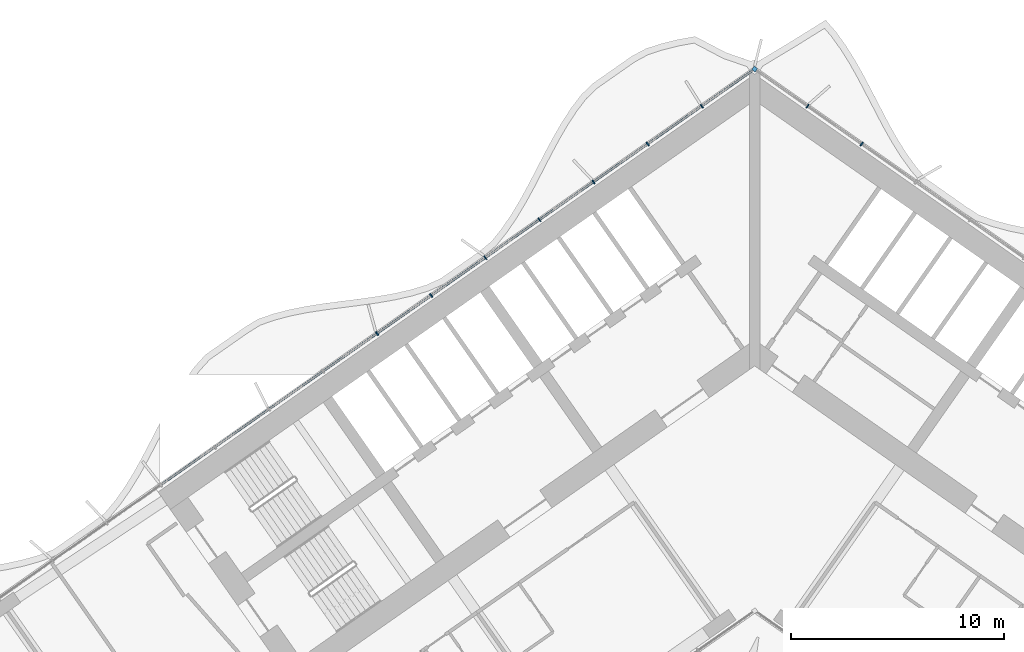
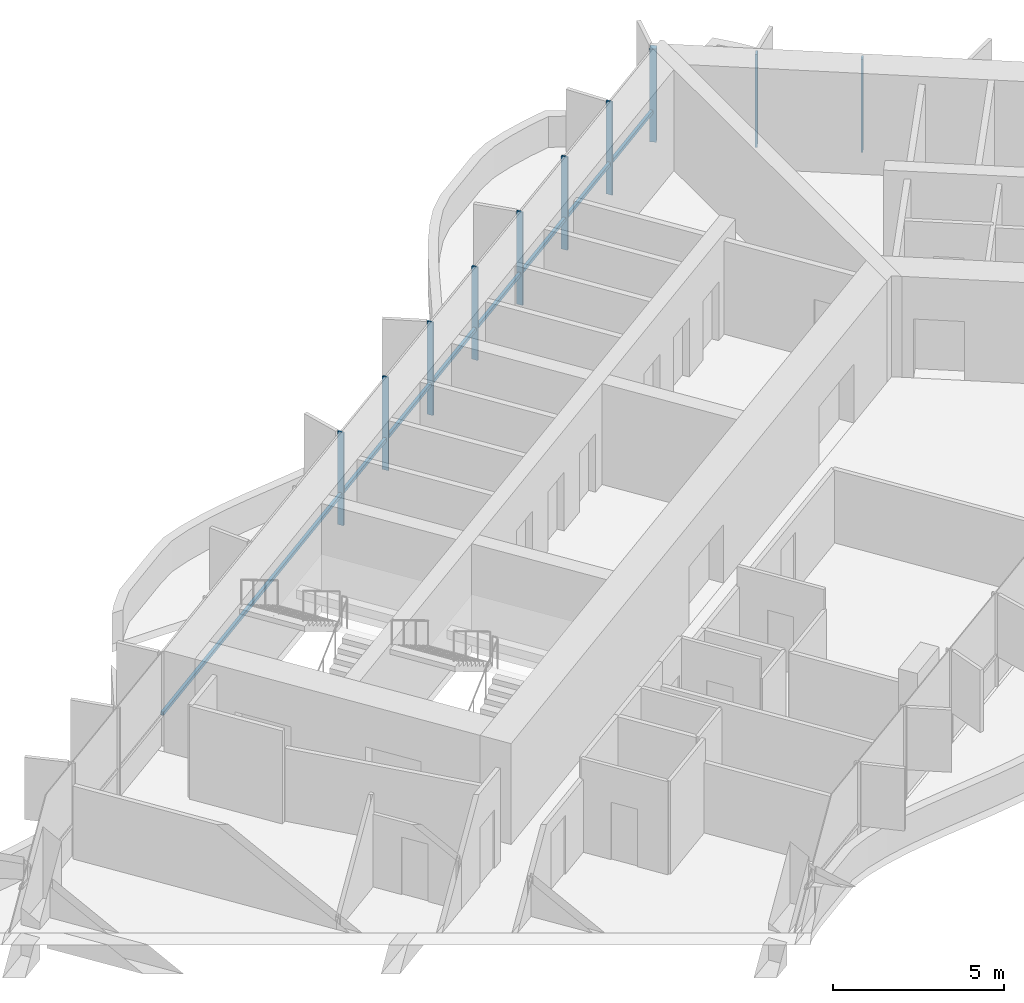
# One storey, part 7 of 23: 11 members, 1 element without a shape of its own.
"""IFC4 building model written with IfcOpenShell, lengths in metres."""

import ifcopenshell
import ifcopenshell.guid

model = None  # the IFC model being written
_history = None  # IfcOwnerHistory: only IFC2X3 demands one
_inside = {}  # id of a spatial element -> (the spatial element, [elements in it])
_under = {}  # id of a project, library or spatial element -> (it, [spatial elements below it])
_declared = {}  # id of a project -> (the project, [libraries it declares])
_typed = {}  # id of a type object -> (the type object, [elements of that type])
_made_of = {}  # id of a material, layer set ... -> (it, [elements and type objects made of it])


def new_model(schema):
    """Start an empty IFC model of exactly this schema.

    Asked for "IFC4X3", IfcOpenShell would pick the latest addendum, in which some entities
    have other attributes; the version numbers below select the first issue.
    IFC2X3 requires an IfcOwnerHistory on every rooted entity: one is made here for all.
    """
    global model, _history
    if schema == "IFC4X3":
        model = ifcopenshell.file(schema_version=(4, 3, 0, 0))
    else:
        model = ifcopenshell.file(schema=schema)
    _inside.clear()
    _under.clear()
    _declared.clear()
    _typed.clear()
    _made_of.clear()
    _history = None
    if model.schema == "IFC2X3":
        org = make("IfcOrganization", Name="unknown")
        user = make(
            "IfcPersonAndOrganization",
            ThePerson=make("IfcPerson", FamilyName="unknown"),
            TheOrganization=org,
        )
        app = make(
            "IfcApplication",
            ApplicationDeveloper=org,
            Version="unknown",
            ApplicationFullName="unknown",
            ApplicationIdentifier="unknown",
        )
        _history = make(
            "IfcOwnerHistory",
            OwningUser=user,
            OwningApplication=app,
            ChangeAction="ADDED",
            CreationDate=0,
        )
    return model


def make(cls, **values):
    """One entity of the class cls with the attributes given. An attribute that is None is left unset."""
    return model.create_entity(
        cls, **{name: value for name, value in values.items() if value is not None}
    )


def rooted(cls, **values):
    """An entity with a GlobalId (a new one), such as an element, a storey or a relation."""
    return make(cls, GlobalId=ifcopenshell.guid.new(), OwnerHistory=_history, **values)


def si_unit(unit_type, name, prefix=None):
    """IfcSIUnit, for example si_unit("LENGTHUNIT", "METRE", prefix="MILLI")."""
    return make("IfcSIUnit", UnitType=unit_type, Prefix=prefix, Name=name)


def assignment(units):
    """IfcUnitAssignment: the units of a project."""
    return None if units is None else make("IfcUnitAssignment", Units=units)


def point(xyz):
    """IfcCartesianPoint."""
    return None if xyz is None else make("IfcCartesianPoint", Coordinates=xyz)


def direction(xyz):
    """IfcDirection."""
    return None if xyz is None else make("IfcDirection", DirectionRatios=xyz)


def frame(location, z_axis=None, x_axis=None):
    """IfcAxis2Placement3D, a coordinate frame: its origin and axes. An axis left out is left unset."""
    return make(
        "IfcAxis2Placement3D",
        Location=point(location),
        Axis=direction(z_axis),
        RefDirection=direction(x_axis),
    )


def frame_2d(location, x_axis=None):
    """IfcAxis2Placement2D, a coordinate frame in the plane: its origin and x axis."""
    return make(
        "IfcAxis2Placement2D", Location=point(location), RefDirection=direction(x_axis)
    )


def origin():
    """The frame at (0, 0, 0) with its axes left unset."""
    return frame((0.0, 0.0, 0.0))


def origin_2d():
    """The frame at (0, 0) in the plane with its x axis left unset."""
    return frame_2d((0.0, 0.0))


def place(relative_to, where):
    """IfcLocalPlacement: puts the frame where relative to a parent placement (None: the world)."""
    return make(
        "IfcLocalPlacement", PlacementRelTo=relative_to, RelativePlacement=where
    )


def context(
    kind, dimensions, precision=None, world=None, true_north=None, identifier=None
):
    """IfcGeometricRepresentationContext, for example the 3D "Model" context."""
    return make(
        "IfcGeometricRepresentationContext",
        ContextIdentifier=identifier,
        ContextType=kind,
        CoordinateSpaceDimension=dimensions,
        Precision=precision,
        WorldCoordinateSystem=world,
        TrueNorth=true_north,
    )


def subcontext(parent, identifier, kind, view, scale=None):
    """IfcGeometricRepresentationSubContext, for example "Body" below "Model"."""
    return make(
        "IfcGeometricRepresentationSubContext",
        ContextIdentifier=identifier,
        ContextType=kind,
        ParentContext=parent,
        TargetScale=scale,
        TargetView=view,
    )


def project(units=None, contexts=None):
    """IfcProject with its units and contexts."""
    return rooted(
        "IfcProject",
        Name="project",
        RepresentationContexts=contexts,
        UnitsInContext=assignment(units),
    )


def spatial(cls, under=None, at=None, **own):
    """A site, building, storey or space (cls), placed at a placement, below another one or the project."""
    s = rooted(cls, ObjectPlacement=at, **own)
    if under is not None:
        _under.setdefault(under.id(), (under, []))[1].append(s)
    return s


def profile(cls, at=None, kind="AREA", **sizes):
    """A parametric profile (cls). Its sizes go by their IFC names, for example OverallWidth=200.0."""
    return make(cls, ProfileType=kind, Position=at, **sizes)


def rectangle(**sizes):
    """IfcRectangleProfileDef."""
    return profile("IfcRectangleProfileDef", **sizes)


def extrude(swept, where, along, depth):
    """IfcExtrudedAreaSolid: the profile swept, set in the frame where, extruded along a direction by depth."""
    return make(
        "IfcExtrudedAreaSolid",
        SweptArea=swept,
        Position=where,
        ExtrudedDirection=direction(along),
        Depth=depth,
    )


def shape(context_of_items, identifier, shape_type, items):
    """IfcShapeRepresentation: the items that make up one representation, for example the "Body"."""
    return make(
        "IfcShapeRepresentation",
        ContextOfItems=context_of_items,
        RepresentationIdentifier=identifier,
        RepresentationType=shape_type,
        Items=items,
    )


def material(Name=None, Category=None):
    """IfcMaterial."""
    return make("IfcMaterial", Name=Name, Category=Category)


def material_profile(
    of_material, cross_section, Name=None, Category=None, Priority=None
):
    """IfcMaterialProfile: a cross section and its material."""
    return make(
        "IfcMaterialProfile",
        Name=Name,
        Material=of_material,
        Profile=cross_section,
        Priority=Priority,
        Category=Category,
    )


def profile_set(profiles, Name=None, composite=None):
    """IfcMaterialProfileSet."""
    return make(
        "IfcMaterialProfileSet",
        Name=Name,
        MaterialProfiles=profiles,
        CompositeProfile=composite,
    )


def made_of(thing, what):
    """Note that an element or type object is made of a material, layer set ...; save() writes the relation."""
    if what is not None:
        _made_of.setdefault(what.id(), (what, []))[1].append(thing)
    return thing


def type_object(cls, material=None, **own):
    """A type object (cls), such as IfcWallType, which elements share."""
    return made_of(rooted(cls, **own), material)


def element(
    cls,
    number,
    at=None,
    inside=None,
    cuts=None,
    type_object=None,
    material=None,
    context=None,
    identifier="Body",
    shape_type=None,
    held_by="IfcProductDefinitionShape",
    body=None,
    shapes=None,
    **own,
):
    """One element of the class cls, such as IfcWall. Its Tag is "e" and its number.

    at: its placement. inside: the storey or other place that contains it. cuts: it is an
    opening in that element (IfcRelVoidsElement). A single representation is given by context,
    identifier, shape_type and body (its items); several are given by shapes. held_by: the class
    of the entity that holds the representations. save() writes the other relations.
    """
    e = rooted(cls, Tag="e%d" % number, ObjectPlacement=at, **own)
    if body is not None:
        shapes = [shape(context, identifier, shape_type, body)]
    if shapes is not None:
        e.Representation = make(held_by, Representations=shapes)
    if inside is not None:
        _inside.setdefault(inside.id(), (inside, []))[1].append(e)
    if cuts is not None:
        rooted(
            "IfcRelVoidsElement", RelatingBuildingElement=cuts, RelatedOpeningElement=e
        )
    if type_object is not None:
        _typed.setdefault(type_object.id(), (type_object, []))[1].append(e)
    return made_of(e, material)


def aggregate(whole, parts):
    """IfcRelAggregates: a whole, such as a stair, and the parts it consists of."""
    return rooted("IfcRelAggregates", RelatingObject=whole, RelatedObjects=parts)


def save(model, path):
    """Write the relations noted so far, then the file.

    IfcRelAggregates (storeys below a building ...), IfcRelContainedInSpatialStructure (elements
    in a storey), IfcRelDefinesByType, IfcRelAssociatesMaterial and IfcRelDeclares: one each for
    every whole, place, type object, material and project.
    """
    for whole, parts in _under.values():
        aggregate(whole, parts)
    for where, things in _inside.values():
        rooted(
            "IfcRelContainedInSpatialStructure",
            RelatedElements=things,
            RelatingStructure=where,
        )
    for kind, things in _typed.values():
        rooted("IfcRelDefinesByType", RelatedObjects=things, RelatingType=kind)
    for what, things in _made_of.values():
        rooted("IfcRelAssociatesMaterial", RelatedObjects=things, RelatingMaterial=what)
    for by, libraries in _declared.values():
        rooted("IfcRelDeclares", RelatingContext=by, RelatedDefinitions=libraries)
    model.write(path)


model = new_model("IFC4")

# Units and contexts
model_context = context("Model", 3, precision=1e-05, world=origin(), true_north=direction((0.0, 1.0)))
body_context = subcontext(model_context, "Body", "Model", "MODEL_VIEW")
ifc_project = project(units=[si_unit("LENGTHUNIT", "METRE"), si_unit("AREAUNIT", "SQUARE_METRE"), si_unit("VOLUMEUNIT", "CUBIC_METRE"), si_unit("PLANEANGLEUNIT", "RADIAN"), si_unit("MASSUNIT", "GRAM", prefix="KILO")], contexts=[model_context])

# Site, building, storey
site_placement = place(None, origin())
site = spatial("IfcSite", under=ifc_project, at=site_placement, CompositionType="ELEMENT")
building_placement = place(site_placement, origin())
building = spatial("IfcBuilding", under=site, at=building_placement, Name="Tel Ilan Convention Tower", CompositionType="ELEMENT")
storey_placement = place(building_placement, frame((0.0, 0.0, 104.89990234375)))
storey = spatial("IfcBuildingStorey", under=building, at=storey_placement, Name="L22", CompositionType="ELEMENT", Elevation=104.89990234375)

# Curtain wall, members
ifc_material_1 = material(Name="Aluminium, bronze anodised", Category="aluminium")
curtain_wall_type = type_object("IfcCurtainWallType", Name="CW2 STICK CURTAIN WALL, SPANDREL PANELS", PredefinedType="NOTDEFINED", material=ifc_material_1)
curtain_wall_placement = place(storey_placement, origin())
curtain_wall = element("IfcCurtainWall", 1, at=curtain_wall_placement, inside=storey, type_object=curtain_wall_type, Name="Curtain wall CW2-19.01", PredefinedType="NOTDEFINED")
ifc_material_2 = material(Name="Aluminium, bronze anodised", Category="aluminium")
ifc_material_profile_1 = material_profile(ifc_material_2, rectangle(XDim=0.199951171875, YDim=0.199951171875, at=origin_2d()), Name="CW CORNER MULLION 200x200")
ifc_profile_set_1 = profile_set([ifc_material_profile_1], Name="Aluminium, bronze anodised")
member_type_1 = type_object("IfcMemberType", Name="CW CORNER MULLION 200x200", PredefinedType="MULLION", material=ifc_profile_set_1)
member_1_placement = place(storey_placement, frame((0.0, 12.696044921875, 0.0), z_axis=(0.0, 0.0, 1.0), x_axis=(-0.819152044289, 0.573576436351, 0.0)))
member_1 = element("IfcMember", 2, at=member_1_placement, type_object=member_type_1, Name="Corner mullion", PredefinedType="MULLION", context=body_context, shape_type="SweptSolid", body=[
    extrude(rectangle(XDim=0.199951171875, YDim=0.199951171875, at=origin_2d()), origin(), (0.0, 0.0, 1.0), 3.320068359375),
])
ifc_material_3 = material(Name="Aluminium, bronze anodised", Category="aluminium")
ifc_material_profile_2 = material_profile(ifc_material_3, rectangle(XDim=0.06005859375, YDim=0.199951171875, at=origin_2d()), Name="CW MULLION 60x200")
ifc_profile_set_2 = profile_set([ifc_material_profile_2], Name="Aluminium, bronze anodised")
member_type_2 = type_object("IfcMemberType", Name="CW MULLION 60x200", PredefinedType="MULLION", material=ifc_profile_set_2)
member_2_placement = place(storey_placement, frame((5.0166015625, 9.18359375, 0.0), z_axis=(0.0, 0.0, 1.0), x_axis=(-0.819152044289, 0.573576436351, 0.0)))
member_2 = element("IfcMember", 3, at=member_2_placement, type_object=member_type_2, Name="Mullion", PredefinedType="MULLION", context=body_context, shape_type="SweptSolid", body=[
    extrude(rectangle(XDim=0.06005859375, YDim=0.199951171875, at=origin_2d()), origin(), (0.0, 0.0, 1.0), 3.320068359375),
])
member_3_placement = place(storey_placement, frame((2.4794921875, 10.9599609375, 0.0), z_axis=(0.0, 0.0, 1.0), x_axis=(-0.819152044289, 0.573576436351, 0.0)))
member_3 = element("IfcMember", 4, at=member_3_placement, type_object=member_type_2, Name="Mullion", PredefinedType="MULLION", context=body_context, shape_type="SweptSolid", body=[
    extrude(rectangle(XDim=0.06005859375, YDim=0.199951171875, at=origin_2d()), origin(), (0.0, 0.0, 1.0), 3.320068359375),
])
member_4_placement = place(storey_placement, frame((-2.4794921875, 10.9599609375, 0.0), z_axis=(0.0, 0.0, 1.0), x_axis=(-0.819152044289, -0.573576436351, 0.0)))
member_4 = element("IfcMember", 5, at=member_4_placement, type_object=member_type_2, Name="Mullion", PredefinedType="MULLION", context=body_context, shape_type="SweptSolid", body=[
    extrude(rectangle(XDim=0.06005859375, YDim=0.199951171875, at=origin_2d()), origin(), (0.0, 0.0, 1.0), 3.320068359375),
])
member_5_placement = place(storey_placement, frame((-5.0166015625, 9.18359375, 0.0), z_axis=(0.0, 0.0, 1.0), x_axis=(-0.819152044289, -0.573576436351, 0.0)))
member_5 = element("IfcMember", 6, at=member_5_placement, type_object=member_type_2, Name="Mullion", PredefinedType="MULLION", context=body_context, shape_type="SweptSolid", body=[
    extrude(rectangle(XDim=0.06005859375, YDim=0.199951171875, at=origin_2d()), origin(), (0.0, 0.0, 1.0), 3.320068359375),
])
member_6_placement = place(storey_placement, frame((-7.553466796875, 7.406982421875, 0.0), z_axis=(0.0, 0.0, 1.0), x_axis=(-0.819152044289, -0.573576436351, 0.0)))
member_6 = element("IfcMember", 7, at=member_6_placement, type_object=member_type_2, Name="Mullion", PredefinedType="MULLION", context=body_context, shape_type="SweptSolid", body=[
    extrude(rectangle(XDim=0.06005859375, YDim=0.199951171875, at=origin_2d()), origin(), (0.0, 0.0, 1.0), 3.320068359375),
])
member_7_placement = place(storey_placement, frame((-10.09033203125, 5.630615234375, 0.0), z_axis=(0.0, 0.0, 1.0), x_axis=(-0.819152044289, -0.573576436351, 0.0)))
member_7 = element("IfcMember", 8, at=member_7_placement, type_object=member_type_2, Name="Mullion", PredefinedType="MULLION", context=body_context, shape_type="SweptSolid", body=[
    extrude(rectangle(XDim=0.06005859375, YDim=0.199951171875, at=origin_2d()), origin(), (0.0, 0.0, 1.0), 3.320068359375),
])
member_8_placement = place(storey_placement, frame((-12.627197265625, 3.854248046875, 0.0), z_axis=(0.0, 0.0, 1.0), x_axis=(-0.819152044289, -0.573576436351, 0.0)))
member_8 = element("IfcMember", 9, at=member_8_placement, type_object=member_type_2, Name="Mullion", PredefinedType="MULLION", context=body_context, shape_type="SweptSolid", body=[
    extrude(rectangle(XDim=0.06005859375, YDim=0.199951171875, at=origin_2d()), origin(), (0.0, 0.0, 1.0), 3.320068359375),
])
member_9_placement = place(storey_placement, frame((-15.1640625, 2.077880859375, 0.0), z_axis=(0.0, 0.0, 1.0), x_axis=(-0.819152044289, -0.573576436351, 0.0)))
member_9 = element("IfcMember", 10, at=member_9_placement, type_object=member_type_2, Name="Mullion", PredefinedType="MULLION", context=body_context, shape_type="SweptSolid", body=[
    extrude(rectangle(XDim=0.06005859375, YDim=0.199951171875, at=origin_2d()), origin(), (0.0, 0.0, 1.0), 3.320068359375),
])
member_10_placement = place(storey_placement, frame((-17.701171875, 0.301513671875, 0.0), z_axis=(0.0, 0.0, 1.0), x_axis=(-0.819152044289, -0.573576436351, 0.0)))
member_10 = element("IfcMember", 11, at=member_10_placement, type_object=member_type_2, Name="Mullion", PredefinedType="MULLION", context=body_context, shape_type="SweptSolid", body=[
    extrude(rectangle(XDim=0.06005859375, YDim=0.199951171875, at=origin_2d()), origin(), (0.0, 0.0, 1.0), 3.320068359375),
])
ifc_material_4 = material(Name="Aluminium, bronze anodised", Category="aluminium")
ifc_material_profile_3 = material_profile(ifc_material_4, rectangle(XDim=0.10009765625, YDim=0.1201171875, at=origin_2d()), Name="CW TRANSOM 100x120")
ifc_profile_set_3 = profile_set([ifc_material_profile_3], Name="Aluminium, bronze anodised")
member_type_3 = type_object("IfcMemberType", Name="CW TRANSOM 100x120", PredefinedType="USERDEFINED", material=ifc_profile_set_3)
member_11_placement = place(storey_placement, frame((-0.1064453125, 12.62158203125, 1.10009765625), z_axis=(-0.819151916241, -0.573576619222, 0.0), x_axis=(0.573576619222, -0.819151916241, 0.0)))
member_11 = element("IfcMember", 12, at=member_11_placement, type_object=member_type_3, Name="Transom", ObjectType="TRANSOM", PredefinedType="USERDEFINED", context=body_context, shape_type="SweptSolid", body=[
    extrude(rectangle(XDim=0.10009765625, YDim=0.1201171875, at=origin_2d()), origin(), (0.0, 0.0, 1.0), 33.837158203125),
])
aggregate(curtain_wall, [member_2, member_3, member_1, member_4, member_5, member_6, member_7, member_8, member_9, member_10, member_11])

save(model, "model.ifc")
